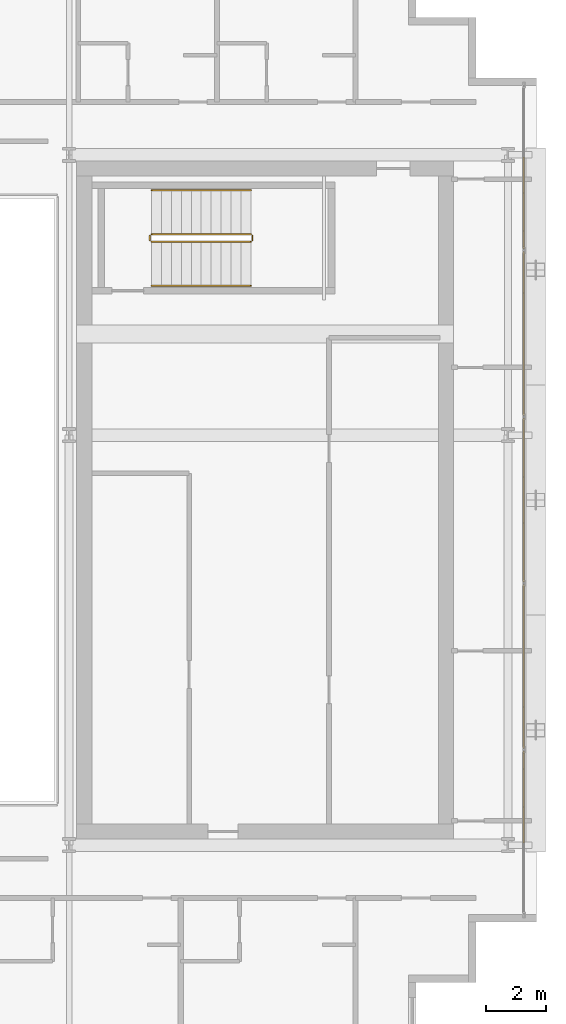
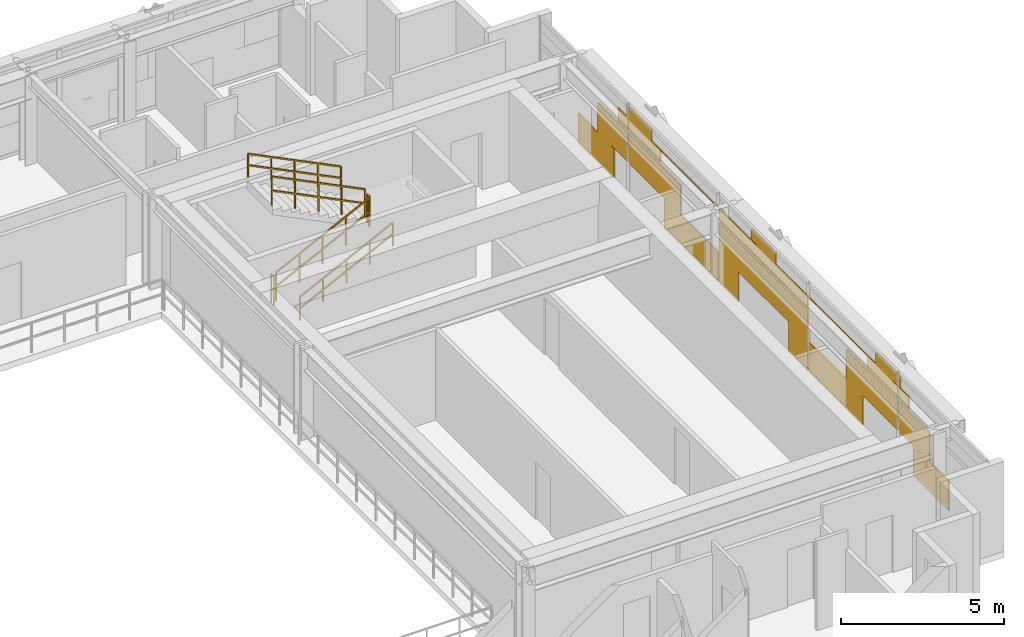
# One storey, part 30 of 31: 6 railings, 1 covering.
"""IFC4 building model written with IfcOpenShell, lengths in metres."""

from ifc_helpers import new_model, si_unit, direction, frame, origin, origin_2d, place, context, subcontext, project, spatial, rectangle, extrude, material, layer, layer_set, type_object, element, save


model = new_model("IFC4")

# Units and contexts
model_context = context("Model", 3, precision=1e-05, world=origin(), true_north=direction((0.0, 1.0)))
body_context = subcontext(model_context, "Body", "Model", "MODEL_VIEW")
ifc_project = project(units=[si_unit("LENGTHUNIT", "METRE"), si_unit("AREAUNIT", "SQUARE_METRE"), si_unit("VOLUMEUNIT", "CUBIC_METRE"), si_unit("PLANEANGLEUNIT", "RADIAN"), si_unit("MASSUNIT", "GRAM", prefix="KILO")], contexts=[model_context])

# Site, building, storey
site_placement = place(None, origin())
site = spatial("IfcSite", under=ifc_project, at=site_placement, CompositionType="ELEMENT")
building_placement = place(site_placement, origin())
building = spatial("IfcBuilding", under=site, at=building_placement, Name="Ocotamira Hotel", CompositionType="ELEMENT")
storey_placement = place(building_placement, frame((0.0, 0.0, 181.199951171875)))
storey = spatial("IfcBuildingStorey", under=building, at=storey_placement, Name="L45", CompositionType="ELEMENT", Elevation=181.199951171875)

# Covering
ifc_material_1 = material(Name="Insulated pale-metal aluminium spandrel panel", Category="aluminium")
ifc_layer = layer(ifc_material_1, 0.044921875)
ifc_layer_set = layer_set([ifc_layer], Name="Insulated pale-metal aluminium spandrel panel")
covering_type = type_object("IfcCoveringType", Name="COV-INFILL-45", PredefinedType="CLADDING", material=ifc_layer_set)
covering_placement = place(storey_placement, origin())
element("IfcCovering", 1, at=covering_placement, inside=storey, type_object=covering_type, Name="L45 Curtain Wall Infill CW-4 CW-L45-E", PredefinedType="CLADDING", context=body_context, shape_type="SweptSolid", body=[
    extrude(rectangle(XDim=2.205078125, YDim=0.044921875, at=origin_2d()), frame((55.580078125, 15.7314453125, 0.07568359375), z_axis=(0.0, 0.0, 1.0), x_axis=(0.0, 1.0, 0.0)), (0.0, 0.0, 1.0), 1.117919921875),
    extrude(rectangle(XDim=1.864501953125, YDim=0.044921875, at=origin_2d()), frame((55.580078125, 16.747314453125, 1.1943359375), z_axis=(0.0, 0.0, 1.0), x_axis=(0.0, 1.0, 0.0)), (0.0, 0.0, 1.0), 1.11767578125),
    extrude(rectangle(XDim=0.59912109375, YDim=0.044921875, at=origin_2d()), frame((55.580078125, 17.3798828125, 2.38818359375), z_axis=(0.0, 0.0, 1.0), x_axis=(0.0, 1.0, 0.0)), (0.0, 0.0, 1.0), 0.493896484375),
    extrude(rectangle(XDim=0.07421875, YDim=0.044921875, at=origin_2d()), frame((55.580078125, 17.642333984375, 2.883056640625), z_axis=(0.0, 0.0, 1.0), x_axis=(0.0, 1.0, 0.0)), (0.0, 0.0, 1.0), 0.41162109375),
    extrude(rectangle(XDim=3.157958984375, YDim=0.044921875, at=origin_2d()), frame((55.580078125, 19.33935546875, 1.1943359375), z_axis=(0.0, 0.0, 1.0), x_axis=(0.0, 1.0, 0.0)), (0.0, 0.0, 1.0), 1.11767578125),
    extrude(rectangle(XDim=3.30029296875, YDim=0.044921875, at=origin_2d()), frame((55.580078125, 21.54931640625, 0.07568359375), z_axis=(0.0, 0.0, 1.0), x_axis=(0.0, 1.0, 0.0)), (0.0, 0.0, 1.0), 1.117919921875),
    extrude(rectangle(XDim=1.892333984375, YDim=0.044921875, at=origin_2d()), frame((55.580078125, 18.70654296875, 2.38818359375), z_axis=(0.0, 0.0, 1.0), x_axis=(0.0, 1.0, 0.0)), (0.0, 0.0, 1.0), 0.459716796875),
    extrude(rectangle(XDim=5.43896484375, YDim=0.044921875, at=origin_2d()), frame((55.580078125, 20.47998046875, 2.848876953125), z_axis=(0.0, 0.0, 1.0), x_axis=(0.0, 1.0, 0.0)), (0.0, 0.0, 1.0), 0.033203125),
    extrude(rectangle(XDim=1.367431640625, YDim=0.044921875, at=origin_2d()), frame((55.580078125, 18.444091796875, 2.883056640625), z_axis=(0.0, 0.0, 1.0), x_axis=(0.0, 1.0, 0.0)), (0.0, 0.0, 1.0), 0.41162109375),
    extrude(rectangle(XDim=1.18701171875, YDim=0.044921875, at=origin_2d()), frame((55.580078125, 23.873779296875, 0.07568359375), z_axis=(0.0, 0.0, 1.0), x_axis=(0.0, 1.0, 0.0)), (0.0, 0.0, 1.0), 1.117919921875),
    extrude(rectangle(XDim=5.43896484375, YDim=0.044921875, at=origin_2d()), frame((55.580078125, 26.0, 1.1943359375), z_axis=(0.0, 0.0, 1.0), x_axis=(0.0, 1.0, 0.0)), (0.0, 0.0, 1.0), 1.11767578125),
    extrude(rectangle(XDim=1.18701171875, YDim=0.044921875, at=origin_2d()), frame((55.580078125, 28.126220703125, 0.07568359375), z_axis=(0.0, 0.0, 1.0), x_axis=(0.0, 1.0, 0.0)), (0.0, 0.0, 1.0), 1.117919921875),
    extrude(rectangle(XDim=5.43896484375, YDim=0.044921875, at=origin_2d()), frame((55.580078125, 26.0, 2.38818359375), z_axis=(0.0, 0.0, 1.0), x_axis=(0.0, 1.0, 0.0)), (0.0, 0.0, 1.0), 0.493896484375),
    extrude(rectangle(XDim=1.522705078125, YDim=0.044921875, at=origin_2d()), frame((55.580078125, 26.0, 2.883056640625), z_axis=(0.0, 0.0, 1.0), x_axis=(0.0, 1.0, 0.0)), (0.0, 0.0, 1.0), 0.41162109375),
    extrude(rectangle(XDim=3.30029296875, YDim=0.044921875, at=origin_2d()), frame((55.580078125, 30.45068359375, 0.07568359375), z_axis=(0.0, 0.0, 1.0), x_axis=(0.0, 1.0, 0.0)), (0.0, 0.0, 1.0), 1.117919921875),
    extrude(rectangle(XDim=3.157958984375, YDim=0.044921875, at=origin_2d()), frame((55.580078125, 32.66064453125, 1.1943359375), z_axis=(0.0, 0.0, 1.0), x_axis=(0.0, 1.0, 0.0)), (0.0, 0.0, 1.0), 1.11767578125),
    extrude(rectangle(XDim=5.43896484375, YDim=0.044921875, at=origin_2d()), frame((55.580078125, 31.52001953125, 2.848876953125), z_axis=(0.0, 0.0, 1.0), x_axis=(0.0, 1.0, 0.0)), (0.0, 0.0, 1.0), 0.033203125),
    extrude(rectangle(XDim=1.892333984375, YDim=0.044921875, at=origin_2d()), frame((55.580078125, 33.29345703125, 2.38818359375), z_axis=(0.0, 0.0, 1.0), x_axis=(0.0, 1.0, 0.0)), (0.0, 0.0, 1.0), 0.459716796875),
    extrude(rectangle(XDim=1.367431640625, YDim=0.044921875, at=origin_2d()), frame((55.580078125, 33.555908203125, 2.883056640625), z_axis=(0.0, 0.0, 1.0), x_axis=(0.0, 1.0, 0.0)), (0.0, 0.0, 1.0), 0.41162109375),
    extrude(rectangle(XDim=1.864501953125, YDim=0.044921875, at=origin_2d()), frame((55.580078125, 35.252685546875, 1.1943359375), z_axis=(0.0, 0.0, 1.0), x_axis=(0.0, 1.0, 0.0)), (0.0, 0.0, 1.0), 1.11767578125),
    extrude(rectangle(XDim=2.205078125, YDim=0.044921875, at=origin_2d()), frame((55.580078125, 36.2685546875, 0.07568359375), z_axis=(0.0, 0.0, 1.0), x_axis=(0.0, 1.0, 0.0)), (0.0, 0.0, 1.0), 1.117919921875),
    extrude(rectangle(XDim=0.59912109375, YDim=0.044921875, at=origin_2d()), frame((55.580078125, 34.6201171875, 2.38818359375), z_axis=(0.0, 0.0, 1.0), x_axis=(0.0, 1.0, 0.0)), (0.0, 0.0, 1.0), 0.493896484375),
    extrude(rectangle(XDim=0.07421875, YDim=0.044921875, at=origin_2d()), frame((55.580078125, 34.357666015625, 2.883056640625), z_axis=(0.0, 0.0, 1.0), x_axis=(0.0, 1.0, 0.0)), (0.0, 0.0, 1.0), 0.41162109375),
])

# Railings
ifc_material_2 = material(Name="Brushed stainless steel handrail", Category="steel")
railing_type_1 = type_object("IfcRailingType", Name="RL-HAND-900", PredefinedType="HANDRAIL", material=ifc_material_2)
railing_1_placement = place(storey_placement, frame((43.22998046875, 33.10009765625, 0.327392578125)))
element("IfcRailing", 2, at=railing_1_placement, inside=storey, type_object=railing_type_1, Name="L45 ST-4 stair handrail 1", PredefinedType="HANDRAIL", context=body_context, shape_type="SweptSolid", body=[
    extrude(rectangle(XDim=0.048095703125, YDim=0.048095703125, at=origin_2d()), frame((0.0, 0.0, 0.8759765625), z_axis=(0.895920123917, 0.0, 0.444215186098), x_axis=(0.0, 1.0, 0.0)), (0.0, 0.0, 1.0), 3.683349609375),
    extrude(rectangle(XDim=0.048095703125, YDim=0.048095703125, at=origin_2d()), frame((0.0, 0.0, 0.449951171875), z_axis=(0.895920123917, 0.0, 0.444215186098), x_axis=(0.0, 1.0, 0.0)), (0.0, 0.0, 1.0), 3.683349609375),
    extrude(rectangle(XDim=0.0419921875, YDim=0.0419921875, at=origin_2d()), origin(), (0.0, 0.0, 1.0), 0.851806640625),
    extrude(rectangle(XDim=0.0419921875, YDim=0.0419921875, at=origin_2d()), frame((0.824951171875, 0.0, 0.4091796875)), (0.0, 0.0, 1.0), 0.851806640625),
    extrude(rectangle(XDim=0.0419921875, YDim=0.0419921875, at=origin_2d()), frame((1.64990234375, 0.0, 0.818115234375)), (0.0, 0.0, 1.0), 0.851806640625),
    extrude(rectangle(XDim=0.0419921875, YDim=0.0419921875, at=origin_2d()), frame((2.47509765625, 0.0, 1.22705078125)), (0.0, 0.0, 1.0), 0.851806640625),
    extrude(rectangle(XDim=0.0419921875, YDim=0.0419921875, at=origin_2d()), frame((3.300048828125, 0.0, 1.63623046875)), (0.0, 0.0, 1.0), 0.851806640625),
])
railing_2_placement = place(storey_placement, frame((46.530029296875, 36.280029296875, 2.12744140625)))
element("IfcRailing", 3, at=railing_2_placement, inside=storey, type_object=railing_type_1, Name="L45 ST-4 stair handrail 2", PredefinedType="HANDRAIL", context=body_context, shape_type="SweptSolid", body=[
    extrude(rectangle(XDim=0.048095703125, YDim=0.048095703125, at=origin_2d()), frame((0.0, 0.0, 0.8759765625), z_axis=(-0.895920123917, 0.0, 0.444215186098), x_axis=(0.0, -1.0, 0.0)), (0.0, 0.0, 1.0), 3.683349609375),
    extrude(rectangle(XDim=0.048095703125, YDim=0.048095703125, at=origin_2d()), frame((0.0, 0.0, 0.449951171875), z_axis=(-0.895920123917, 0.0, 0.444215186098), x_axis=(0.0, -1.0, 0.0)), (0.0, 0.0, 1.0), 3.683349609375),
    extrude(rectangle(XDim=0.0419921875, YDim=0.0419921875, at=origin_2d()), origin(), (0.0, 0.0, 1.0), 0.851806640625),
    extrude(rectangle(XDim=0.0419921875, YDim=0.0419921875, at=origin_2d()), frame((-0.824951171875, 0.0, 0.4091796875)), (0.0, 0.0, 1.0), 0.851806640625),
    extrude(rectangle(XDim=0.0419921875, YDim=0.0419921875, at=origin_2d()), frame((-1.64990234375, 0.0, 0.818115234375)), (0.0, 0.0, 1.0), 0.851806640625),
    extrude(rectangle(XDim=0.0419921875, YDim=0.0419921875, at=origin_2d()), frame((-2.47509765625, 0.0, 1.22705078125)), (0.0, 0.0, 1.0), 0.851806640625),
    extrude(rectangle(XDim=0.0419921875, YDim=0.0419921875, at=origin_2d()), frame((-3.300048828125, 0.0, 1.63623046875)), (0.0, 0.0, 1.0), 0.851806640625),
])
ifc_material_3 = material(Name="Painted steel stair guardrail", Category="steel")
railing_type_2 = type_object("IfcRailingType", Name="RL-STAIR-1100", PredefinedType="GUARDRAIL", material=ifc_material_3)
railing_3_placement = place(storey_placement, frame((43.22998046875, 34.56005859375, 0.16357421875)))
element("IfcRailing", 4, at=railing_3_placement, inside=storey, type_object=railing_type_2, Name="L45 ST-4 stair guard 1", PredefinedType="GUARDRAIL", context=body_context, shape_type="SweptSolid", body=[
    extrude(rectangle(XDim=0.048095703125, YDim=0.048095703125, at=origin_2d()), frame((0.0, 0.0, 1.076171875), z_axis=(0.895893744519, 0.0, 0.4442683857), x_axis=(0.0, 1.0, 0.0)), (0.0, 0.0, 1.0), 3.68359375),
    extrude(rectangle(XDim=0.048095703125, YDim=0.048095703125, at=origin_2d()), frame((0.0, 0.0, 0.550048828125), z_axis=(0.895893744519, 0.0, 0.4442683857), x_axis=(0.0, 1.0, 0.0)), (0.0, 0.0, 1.0), 3.68359375),
    extrude(rectangle(XDim=0.0419921875, YDim=0.0419921875, at=origin_2d()), origin(), (0.0, 0.0, 1.0), 1.052001953125),
    extrude(rectangle(XDim=0.0419921875, YDim=0.0419921875, at=origin_2d()), frame((0.824951171875, 0.0, 0.4091796875)), (0.0, 0.0, 1.0), 1.052001953125),
    extrude(rectangle(XDim=0.0419921875, YDim=0.0419921875, at=origin_2d()), frame((1.64990234375, 0.0, 0.818359375)), (0.0, 0.0, 1.0), 1.052001953125),
    extrude(rectangle(XDim=0.0419921875, YDim=0.0419921875, at=origin_2d()), frame((2.47509765625, 0.0, 1.227294921875)), (0.0, 0.0, 1.0), 1.052001953125),
    extrude(rectangle(XDim=0.0419921875, YDim=0.0419921875, at=origin_2d()), frame((3.300048828125, 0.0, 1.636474609375)), (0.0, 0.0, 1.0), 1.052001953125),
])
railing_4_placement = place(storey_placement, frame((46.580078125, 34.610107421875, 1.800048828125)))
element("IfcRailing", 5, at=railing_4_placement, inside=storey, type_object=railing_type_2, Name="L45 ST-4 stair guard 2", PredefinedType="GUARDRAIL", context=body_context, shape_type="SweptSolid", body=[
    extrude(rectangle(XDim=0.048095703125, YDim=0.048095703125, at=origin_2d()), frame((0.0, 0.0, 1.076171875), z_axis=(0.0, 1.0, 0.0), x_axis=(-1.0, 0.0, 0.0)), (0.0, 0.0, 1.0), 0.159912109375),
    extrude(rectangle(XDim=0.048095703125, YDim=0.048095703125, at=origin_2d()), frame((0.0, 0.0, 0.550048828125), z_axis=(0.0, 1.0, 0.0), x_axis=(-1.0, 0.0, 0.0)), (0.0, 0.0, 1.0), 0.159912109375),
    extrude(rectangle(XDim=0.0419921875, YDim=0.0419921875, at=origin_2d()), origin(), (0.0, 0.0, 1.0), 1.052001953125),
    extrude(rectangle(XDim=0.0419921875, YDim=0.0419921875, at=origin_2d()), frame((0.0, 0.159912109375, 0.0)), (0.0, 0.0, 1.0), 1.052001953125),
])
railing_5_placement = place(storey_placement, frame((46.530029296875, 34.820068359375, 1.963623046875)))
element("IfcRailing", 6, at=railing_5_placement, inside=storey, type_object=railing_type_2, Name="L45 ST-4 stair guard 3", PredefinedType="GUARDRAIL", context=body_context, shape_type="SweptSolid", body=[
    extrude(rectangle(XDim=0.048095703125, YDim=0.048095703125, at=origin_2d()), frame((0.0, 0.0, 1.076171875), z_axis=(-0.895893744519, 0.0, 0.4442683857), x_axis=(0.0, -1.0, 0.0)), (0.0, 0.0, 1.0), 3.68359375),
    extrude(rectangle(XDim=0.048095703125, YDim=0.048095703125, at=origin_2d()), frame((0.0, 0.0, 0.550048828125), z_axis=(-0.895893744519, 0.0, 0.4442683857), x_axis=(0.0, -1.0, 0.0)), (0.0, 0.0, 1.0), 3.68359375),
    extrude(rectangle(XDim=0.0419921875, YDim=0.0419921875, at=origin_2d()), origin(), (0.0, 0.0, 1.0), 1.052001953125),
    extrude(rectangle(XDim=0.0419921875, YDim=0.0419921875, at=origin_2d()), frame((-0.824951171875, 0.0, 0.4091796875)), (0.0, 0.0, 1.0), 1.052001953125),
    extrude(rectangle(XDim=0.0419921875, YDim=0.0419921875, at=origin_2d()), frame((-1.64990234375, 0.0, 0.818359375)), (0.0, 0.0, 1.0), 1.052001953125),
    extrude(rectangle(XDim=0.0419921875, YDim=0.0419921875, at=origin_2d()), frame((-2.47509765625, 0.0, 1.227294921875)), (0.0, 0.0, 1.0), 1.052001953125),
    extrude(rectangle(XDim=0.0419921875, YDim=0.0419921875, at=origin_2d()), frame((-3.300048828125, 0.0, 1.636474609375)), (0.0, 0.0, 1.0), 1.052001953125),
])
railing_6_placement = place(storey_placement, frame((43.179931640625, 34.610107421875, 0.0)))
element("IfcRailing", 7, at=railing_6_placement, inside=storey, type_object=railing_type_2, Name="L45 ST-4 stair guard 4", PredefinedType="GUARDRAIL", context=body_context, shape_type="SweptSolid", body=[
    extrude(rectangle(XDim=0.048095703125, YDim=0.048095703125, at=origin_2d()), frame((0.0, 0.0, 1.076171875), z_axis=(0.0, 1.0, 0.0), x_axis=(-1.0, 0.0, 0.0)), (0.0, 0.0, 1.0), 0.159912109375),
    extrude(rectangle(XDim=0.048095703125, YDim=0.048095703125, at=origin_2d()), frame((0.0, 0.0, 0.550048828125), z_axis=(0.0, 1.0, 0.0), x_axis=(-1.0, 0.0, 0.0)), (0.0, 0.0, 1.0), 0.159912109375),
    extrude(rectangle(XDim=0.0419921875, YDim=0.0419921875, at=origin_2d()), origin(), (0.0, 0.0, 1.0), 1.052001953125),
    extrude(rectangle(XDim=0.0419921875, YDim=0.0419921875, at=origin_2d()), frame((0.0, 0.159912109375, 0.0)), (0.0, 0.0, 1.0), 1.052001953125),
])

save(model, "model.ifc")
